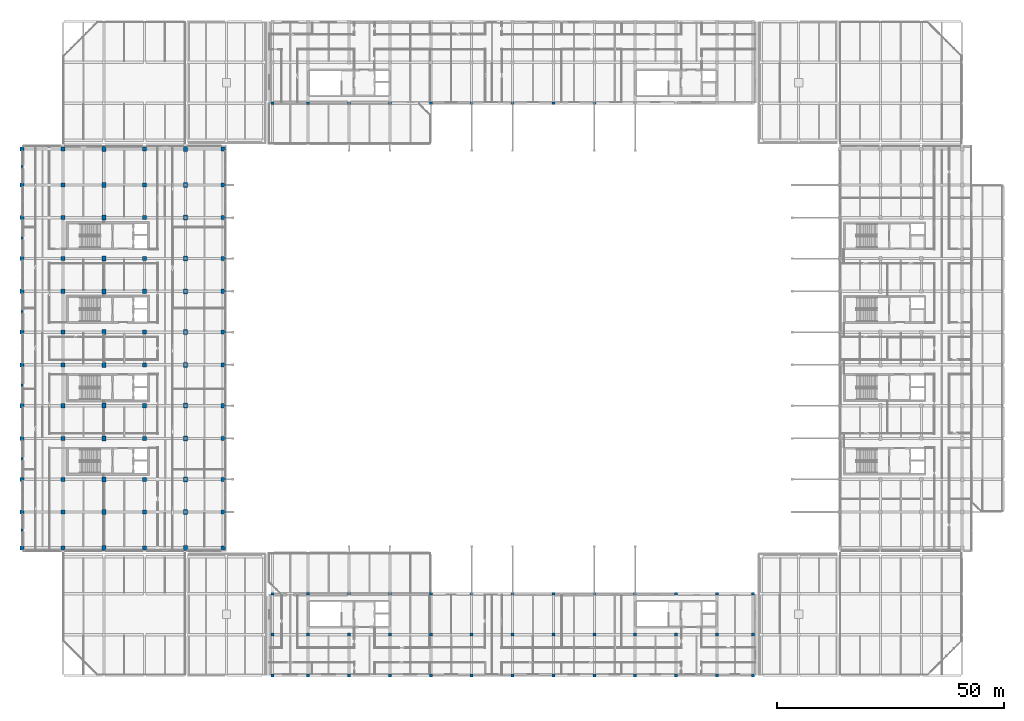
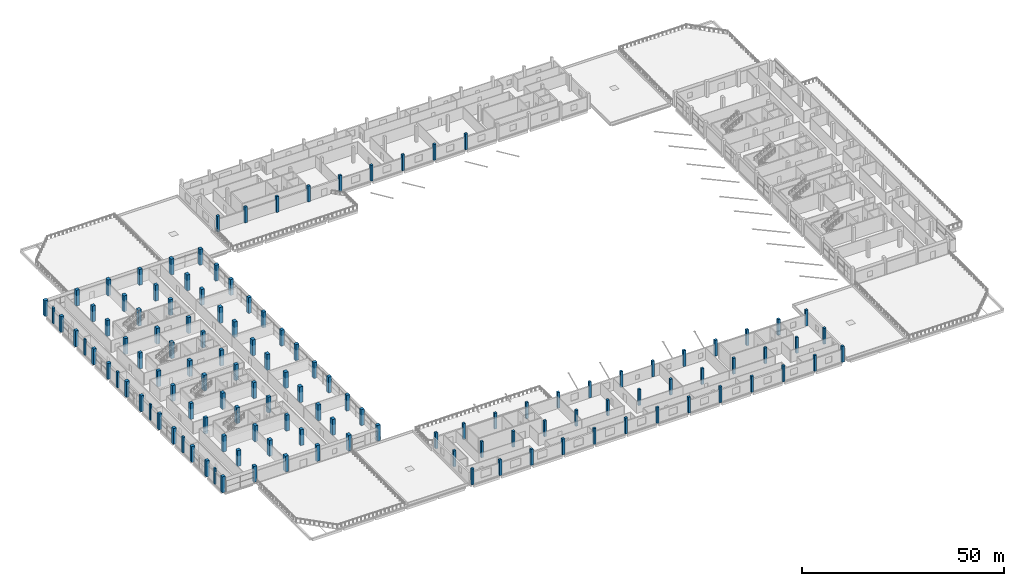
# One storey, part 1 of 82: 126 columns.
"""IFC4 building model written with IfcOpenShell, lengths in metres."""

from ifc_helpers import new_model, si_unit, direction, frame, origin, origin_2d, place, context, subcontext, project, spatial, rectangle, extrude, material, material_profile, profile_set, type_object, element, save


model = new_model("IFC4")

# Units and contexts
model_context = context("Model", 3, precision=1e-05, world=origin(), true_north=direction((0.0, 1.0)))
body_context = subcontext(model_context, "Body", "Model", "MODEL_VIEW")
ifc_project = project(units=[si_unit("LENGTHUNIT", "METRE"), si_unit("AREAUNIT", "SQUARE_METRE"), si_unit("VOLUMEUNIT", "CUBIC_METRE"), si_unit("PLANEANGLEUNIT", "RADIAN"), si_unit("MASSUNIT", "GRAM", prefix="KILO"), si_unit("THERMODYNAMICTEMPERATUREUNIT", "KELVIN"), si_unit("POWERUNIT", "WATT")], contexts=[model_context])

# Site, building, storey
site_placement = place(None, origin())
site = spatial("IfcSite", under=ifc_project, at=site_placement, CompositionType="ELEMENT")
building_placement = place(site_placement, origin())
building = spatial("IfcBuilding", under=site, at=building_placement, Name="Sindhuravela Promenade Stadium", CompositionType="ELEMENT")
storey_placement = place(building_placement, frame((0.0, 0.0, 14.39990234375)))
storey = spatial("IfcBuildingStorey", under=building, at=storey_placement, Name="L03", CompositionType="ELEMENT", Elevation=14.39990234375)

# Columns
ifc_material_1 = material(Name="Concrete M40", Category="concrete")
ifc_material_profile_1 = material_profile(ifc_material_1, rectangle(XDim=0.64990234375, YDim=0.64990234375, at=origin_2d()), Name="RC 650x650")
ifc_profile_set_1 = profile_set([ifc_material_profile_1], Name="Concrete M40")
column_type_1 = type_object("IfcColumnType", Name="RC-CL-650x650", PredefinedType="COLUMN", material=ifc_profile_set_1)
for number, where, z_axis, x_axis, name in (
    (1, (55.10009765625, 135.0, 0.0), (0.0, 0.0, 1.0), (1.0, 0.0, 0.0), "Column C15 NORTH L03"),
    (2, (63.0, 135.0, 0.0), (0.0, 0.0, 1.0), (1.0, 0.0, 0.0), "Column C15 NORTH L03"),
    (3, (72.0, 135.0, 0.0), (0.0, 0.0, 1.0), (1.0, 0.0, 0.0), "Column C15 NORTH L03"),
    (4, (81.0, 135.0, 0.0), (0.0, 0.0, 1.0), (1.0, 0.0, 0.0), "Column C15 NORTH L03"),
    (5, (90.0, 135.0, 0.0), (0.0, 0.0, 1.0), (1.0, 0.0, 0.0), "Column C15 NORTH L03"),
    (6, (99.0, 135.0, 0.0), (0.0, 0.0, 1.0), (1.0, 0.0, 0.0), "Column C15 NORTH L03"),
    (7, (108.0, 135.0, 0.0), (0.0, 0.0, 1.0), (1.0, 0.0, 0.0), "Column C15 NORTH L03"),
    (8, (117.0, 135.0, 0.0), (0.0, 0.0, 1.0), (1.0, 0.0, 0.0), "Column C15 NORTH L03"),
    (9, (126.0, 135.0, 0.0), (0.0, 0.0, 1.0), (1.0, 0.0, 0.0), "Column C15 NORTH L03"),
    (10, (55.10009765625, 9.0, 0.0), (0.0, 0.0, 1.0), (1.0, 0.0, 0.0), "Column C15 SOUTH L03"),
    (11, (55.10009765625, 18.0, 0.0), (0.0, 0.0, 1.0), (1.0, 0.0, 0.0), "Column C15 SOUTH L03"),
    (12, (55.10009765625, 27.0, 0.0), (0.0, 0.0, 1.0), (1.0, 0.0, 0.0), "Column C15 SOUTH L03"),
    (13, (63.0, 9.0, 0.0), (0.0, 0.0, 1.0), (1.0, 0.0, 0.0), "Column C15 SOUTH L03"),
    (14, (63.0, 18.0, 0.0), (0.0, 0.0, 1.0), (1.0, 0.0, 0.0), "Column C15 SOUTH L03"),
    (15, (63.0, 27.0, 0.0), (0.0, 0.0, 1.0), (1.0, 0.0, 0.0), "Column C15 SOUTH L03"),
    (16, (72.0, 9.0, 0.0), (0.0, 0.0, 1.0), (1.0, 0.0, 0.0), "Column C15 SOUTH L03"),
    (17, (72.0, 18.0, 0.0), (0.0, 0.0, 1.0), (1.0, 0.0, 0.0), "Column C15 SOUTH L03"),
    (18, (72.0, 27.0, 0.0), (0.0, 0.0, 1.0), (1.0, 0.0, 0.0), "Column C15 SOUTH L03"),
    (19, (81.0, 9.0, 0.0), (0.0, 0.0, 1.0), (1.0, 0.0, 0.0), "Column C15 SOUTH L03"),
    (20, (81.0, 18.0, 0.0), (0.0, 0.0, 1.0), (1.0, 0.0, 0.0), "Column C15 SOUTH L03"),
    (21, (81.0, 27.0, 0.0), (0.0, 0.0, 1.0), (1.0, 0.0, 0.0), "Column C15 SOUTH L03"),
    (22, (90.0, 9.0, 0.0), (0.0, 0.0, 1.0), (1.0, 0.0, 0.0), "Column C15 SOUTH L03"),
    (23, (90.0, 18.0, 0.0), (0.0, 0.0, 1.0), (1.0, 0.0, 0.0), "Column C15 SOUTH L03"),
    (24, (90.0, 27.0, 0.0), (0.0, 0.0, 1.0), (1.0, 0.0, 0.0), "Column C15 SOUTH L03"),
    (25, (99.0, 9.0, 0.0), (0.0, 0.0, 1.0), (1.0, 0.0, 0.0), "Column C15 SOUTH L03"),
    (26, (99.0, 18.0, 0.0), (0.0, 0.0, 1.0), (1.0, 0.0, 0.0), "Column C15 SOUTH L03"),
    (27, (99.0, 27.0, 0.0), (0.0, 0.0, 1.0), (1.0, 0.0, 0.0), "Column C15 SOUTH L03"),
    (28, (108.0, 9.0, 0.0), (0.0, 0.0, 1.0), (1.0, 0.0, 0.0), "Column C15 SOUTH L03"),
    (29, (108.0, 18.0, 0.0), (0.0, 0.0, 1.0), (1.0, 0.0, 0.0), "Column C15 SOUTH L03"),
    (30, (108.0, 27.0, 0.0), (0.0, 0.0, 1.0), (1.0, 0.0, 0.0), "Column C15 SOUTH L03"),
    (31, (117.0, 9.0, 0.0), (0.0, 0.0, 1.0), (1.0, 0.0, 0.0), "Column C15 SOUTH L03"),
    (32, (117.0, 18.0, 0.0), (0.0, 0.0, 1.0), (1.0, 0.0, 0.0), "Column C15 SOUTH L03"),
    (33, (117.0, 27.0, 0.0), (0.0, 0.0, 1.0), (1.0, 0.0, 0.0), "Column C15 SOUTH L03"),
    (34, (126.0, 9.0, 0.0), (0.0, 0.0, 1.0), (1.0, 0.0, 0.0), "Column C15 SOUTH L03"),
    (35, (126.0, 18.0, 0.0), (0.0, 0.0, 1.0), (1.0, 0.0, 0.0), "Column C15 SOUTH L03"),
    (36, (126.0, 27.0, 0.0), (0.0, 0.0, 1.0), (1.0, 0.0, 0.0), "Column C15 SOUTH L03"),
    (37, (135.0, 9.0, 0.0), (0.0, 0.0, 1.0), (1.0, 0.0, 0.0), "Column C15 SOUTH L03"),
    (38, (135.0, 18.0, 0.0), (0.0, 0.0, 1.0), (1.0, 0.0, 0.0), "Column C15 SOUTH L03"),
    (39, (135.0, 27.0, 0.0), (0.0, 0.0, 1.0), (1.0, 0.0, 0.0), "Column C15 SOUTH L03"),
    (40, (144.0, 9.0, 0.0), (0.0, 0.0, 1.0), (1.0, 0.0, 0.0), "Column C15 SOUTH L03"),
    (41, (144.0, 18.0, 0.0), (0.0, 0.0, 1.0), (1.0, 0.0, 0.0), "Column C15 SOUTH L03"),
    (42, (144.0, 27.0, 0.0), (0.0, 0.0, 1.0), (1.0, 0.0, 0.0), "Column C15 SOUTH L03"),
    (43, (153.0, 9.0, 0.0), (0.0, 0.0, 1.0), (1.0, 0.0, 0.0), "Column C15 SOUTH L03"),
    (44, (153.0, 18.0, 0.0), (0.0, 0.0, 1.0), (1.0, 0.0, 0.0), "Column C15 SOUTH L03"),
    (45, (153.0, 27.0, 0.0), (0.0, 0.0, 1.0), (1.0, 0.0, 0.0), "Column C15 SOUTH L03"),
    (46, (160.89990234375, 9.0, 0.0), (0.0, 0.0, 1.0), (1.0, 0.0, 0.0), "Column C15 SOUTH L03"),
    (47, (160.89990234375, 18.0, 0.0), (0.0, 0.0, 1.0), (1.0, 0.0, 0.0), "Column C15 SOUTH L03"),
    (48, (160.89990234375, 27.0, 0.0), (0.0, 0.0, 1.0), (1.0, 0.0, 0.0), "Column C15 SOUTH L03"),
):
    element("IfcColumn", number, at=place(storey_placement, frame(where, z_axis=z_axis, x_axis=x_axis)), inside=storey, type_object=column_type_1, Name=name, PredefinedType="COLUMN", context=body_context, shape_type="SweptSolid", body=[
        extrude(rectangle(XDim=0.64990234375, YDim=0.64990234375, at=origin_2d()), origin(), (0.0, 0.0, 1.0), 4.800048828125),
    ])
ifc_material_2 = material(Name="Concrete M50", Category="concrete")
ifc_material_profile_2 = material_profile(ifc_material_2, rectangle(XDim=0.89990234375, YDim=1.10009765625, at=origin_2d()), Name="RC 900x1100")
ifc_profile_set_2 = profile_set([ifc_material_profile_2], Name="Concrete M50")
column_type_2 = type_object("IfcColumnType", Name="RC-CL-900x1100", PredefinedType="COLUMN", material=ifc_profile_set_2)
for number, where, z_axis, x_axis, name in (
    (49, (18.0, 37.10009765625, 0.0), (0.0, 0.0, 1.0), (1.0, 0.0, 0.0), "Column C07 WEST L03"),
    (50, (18.0, 45.0, 0.0), (0.0, 0.0, 1.0), (1.0, 0.0, 0.0), "Column C07 WEST L03"),
    (51, (18.0, 52.199951171875, 0.0), (0.0, 0.0, 1.0), (1.0, 0.0, 0.0), "Column C07 WEST L03"),
    (52, (18.0, 61.199951171875, 0.0), (0.0, 0.0, 1.0), (1.0, 0.0, 0.0), "Column C07 WEST L03"),
    (53, (18.0, 68.39990234375, 0.0), (0.0, 0.0, 1.0), (1.0, 0.0, 0.0), "Column C07 WEST L03"),
    (54, (18.0, 77.39990234375, 0.0), (0.0, 0.0, 1.0), (1.0, 0.0, 0.0), "Column C07 WEST L03"),
    (55, (18.0, 84.60009765625, 0.0), (0.0, 0.0, 1.0), (1.0, 0.0, 0.0), "Column C07 WEST L03"),
    (56, (18.0, 93.60009765625, 0.0), (0.0, 0.0, 1.0), (1.0, 0.0, 0.0), "Column C07 WEST L03"),
    (57, (18.0, 100.800048828125, 0.0), (0.0, 0.0, 1.0), (1.0, 0.0, 0.0), "Column C07 WEST L03"),
    (58, (18.0, 109.800048828125, 0.0), (0.0, 0.0, 1.0), (1.0, 0.0, 0.0), "Column C07 WEST L03"),
    (59, (18.0, 117.0, 0.0), (0.0, 0.0, 1.0), (1.0, 0.0, 0.0), "Column C07 WEST L03"),
    (60, (18.0, 124.89990234375, 0.0), (0.0, 0.0, 1.0), (1.0, 0.0, 0.0), "Column C07 WEST L03"),
    (61, (36.0, 37.10009765625, 0.0), (0.0, 0.0, 1.0), (1.0, 0.0, 0.0), "Column C07 WEST L03"),
    (62, (36.0, 45.0, 0.0), (0.0, 0.0, 1.0), (1.0, 0.0, 0.0), "Column C07 WEST L03"),
    (63, (36.0, 52.199951171875, 0.0), (0.0, 0.0, 1.0), (1.0, 0.0, 0.0), "Column C07 WEST L03"),
    (64, (36.0, 61.199951171875, 0.0), (0.0, 0.0, 1.0), (1.0, 0.0, 0.0), "Column C07 WEST L03"),
    (65, (36.0, 68.39990234375, 0.0), (0.0, 0.0, 1.0), (1.0, 0.0, 0.0), "Column C07 WEST L03"),
    (66, (36.0, 77.39990234375, 0.0), (0.0, 0.0, 1.0), (1.0, 0.0, 0.0), "Column C07 WEST L03"),
    (67, (36.0, 84.60009765625, 0.0), (0.0, 0.0, 1.0), (1.0, 0.0, 0.0), "Column C07 WEST L03"),
    (68, (36.0, 93.60009765625, 0.0), (0.0, 0.0, 1.0), (1.0, 0.0, 0.0), "Column C07 WEST L03"),
    (69, (36.0, 100.800048828125, 0.0), (0.0, 0.0, 1.0), (1.0, 0.0, 0.0), "Column C07 WEST L03"),
    (70, (36.0, 109.800048828125, 0.0), (0.0, 0.0, 1.0), (1.0, 0.0, 0.0), "Column C07 WEST L03"),
    (71, (36.0, 117.0, 0.0), (0.0, 0.0, 1.0), (1.0, 0.0, 0.0), "Column C07 WEST L03"),
    (72, (36.0, 124.89990234375, 0.0), (0.0, 0.0, 1.0), (1.0, 0.0, 0.0), "Column C07 WEST L03"),
):
    element("IfcColumn", number, at=place(storey_placement, frame(where, z_axis=z_axis, x_axis=x_axis)), inside=storey, type_object=column_type_2, Name=name, PredefinedType="COLUMN", context=body_context, shape_type="SweptSolid", body=[
        extrude(rectangle(XDim=0.89990234375, YDim=1.10009765625, at=origin_2d()), origin(), (0.0, 0.0, 1.0), 4.800048828125),
    ])
ifc_material_profile_3 = material_profile(ifc_material_1, rectangle(XDim=0.89990234375, YDim=0.89990234375, at=origin_2d()), Name="RC 900x900")
ifc_profile_set_3 = profile_set([ifc_material_profile_3], Name="Concrete M40")
column_type_3 = type_object("IfcColumnType", Name="RC-CL-900x900", PredefinedType="COLUMN", material=ifc_profile_set_3)
for number, where, z_axis, x_axis, name in (
    (73, (0.0, 37.10009765625, 0.0), (0.0, 0.0, 1.0), (1.0, 0.0, 0.0), "Column C08 WEST L03"),
    (74, (0.0, 45.0, 0.0), (0.0, 0.0, 1.0), (1.0, 0.0, 0.0), "Column C08 WEST L03"),
    (75, (0.0, 52.199951171875, 0.0), (0.0, 0.0, 1.0), (1.0, 0.0, 0.0), "Column C08 WEST L03"),
    (76, (0.0, 61.199951171875, 0.0), (0.0, 0.0, 1.0), (1.0, 0.0, 0.0), "Column C08 WEST L03"),
    (77, (0.0, 68.39990234375, 0.0), (0.0, 0.0, 1.0), (1.0, 0.0, 0.0), "Column C08 WEST L03"),
    (78, (0.0, 77.39990234375, 0.0), (0.0, 0.0, 1.0), (1.0, 0.0, 0.0), "Column C08 WEST L03"),
    (79, (0.0, 84.60009765625, 0.0), (0.0, 0.0, 1.0), (1.0, 0.0, 0.0), "Column C08 WEST L03"),
    (80, (0.0, 93.60009765625, 0.0), (0.0, 0.0, 1.0), (1.0, 0.0, 0.0), "Column C08 WEST L03"),
    (81, (0.0, 100.800048828125, 0.0), (0.0, 0.0, 1.0), (1.0, 0.0, 0.0), "Column C08 WEST L03"),
    (82, (0.0, 109.800048828125, 0.0), (0.0, 0.0, 1.0), (1.0, 0.0, 0.0), "Column C08 WEST L03"),
    (83, (0.0, 117.0, 0.0), (0.0, 0.0, 1.0), (1.0, 0.0, 0.0), "Column C08 WEST L03"),
    (84, (0.0, 124.89990234375, 0.0), (0.0, 0.0, 1.0), (1.0, 0.0, 0.0), "Column C08 WEST L03"),
    (85, (9.0, 37.10009765625, 0.0), (0.0, 0.0, 1.0), (1.0, 0.0, 0.0), "Column C08 WEST L03"),
    (86, (9.0, 45.0, 0.0), (0.0, 0.0, 1.0), (1.0, 0.0, 0.0), "Column C08 WEST L03"),
    (87, (9.0, 52.199951171875, 0.0), (0.0, 0.0, 1.0), (1.0, 0.0, 0.0), "Column C08 WEST L03"),
    (88, (9.0, 61.199951171875, 0.0), (0.0, 0.0, 1.0), (1.0, 0.0, 0.0), "Column C08 WEST L03"),
    (89, (9.0, 68.39990234375, 0.0), (0.0, 0.0, 1.0), (1.0, 0.0, 0.0), "Column C08 WEST L03"),
    (90, (9.0, 77.39990234375, 0.0), (0.0, 0.0, 1.0), (1.0, 0.0, 0.0), "Column C08 WEST L03"),
    (91, (9.0, 84.60009765625, 0.0), (0.0, 0.0, 1.0), (1.0, 0.0, 0.0), "Column C08 WEST L03"),
    (92, (9.0, 93.60009765625, 0.0), (0.0, 0.0, 1.0), (1.0, 0.0, 0.0), "Column C08 WEST L03"),
    (93, (9.0, 100.800048828125, 0.0), (0.0, 0.0, 1.0), (1.0, 0.0, 0.0), "Column C08 WEST L03"),
    (94, (9.0, 109.800048828125, 0.0), (0.0, 0.0, 1.0), (1.0, 0.0, 0.0), "Column C08 WEST L03"),
    (95, (9.0, 117.0, 0.0), (0.0, 0.0, 1.0), (1.0, 0.0, 0.0), "Column C08 WEST L03"),
    (96, (9.0, 124.89990234375, 0.0), (0.0, 0.0, 1.0), (1.0, 0.0, 0.0), "Column C08 WEST L03"),
    (97, (27.0, 37.10009765625, 0.0), (0.0, 0.0, 1.0), (1.0, 0.0, 0.0), "Column C08 WEST L03"),
    (98, (27.0, 45.0, 0.0), (0.0, 0.0, 1.0), (1.0, 0.0, 0.0), "Column C08 WEST L03"),
    (99, (27.0, 52.199951171875, 0.0), (0.0, 0.0, 1.0), (1.0, 0.0, 0.0), "Column C08 WEST L03"),
    (100, (27.0, 61.199951171875, 0.0), (0.0, 0.0, 1.0), (1.0, 0.0, 0.0), "Column C08 WEST L03"),
    (101, (27.0, 68.39990234375, 0.0), (0.0, 0.0, 1.0), (1.0, 0.0, 0.0), "Column C08 WEST L03"),
    (102, (27.0, 77.39990234375, 0.0), (0.0, 0.0, 1.0), (1.0, 0.0, 0.0), "Column C08 WEST L03"),
    (103, (27.0, 84.60009765625, 0.0), (0.0, 0.0, 1.0), (1.0, 0.0, 0.0), "Column C08 WEST L03"),
    (104, (27.0, 93.60009765625, 0.0), (0.0, 0.0, 1.0), (1.0, 0.0, 0.0), "Column C08 WEST L03"),
    (105, (27.0, 100.800048828125, 0.0), (0.0, 0.0, 1.0), (1.0, 0.0, 0.0), "Column C08 WEST L03"),
    (106, (27.0, 109.800048828125, 0.0), (0.0, 0.0, 1.0), (1.0, 0.0, 0.0), "Column C08 WEST L03"),
    (107, (27.0, 117.0, 0.0), (0.0, 0.0, 1.0), (1.0, 0.0, 0.0), "Column C08 WEST L03"),
    (108, (27.0, 124.89990234375, 0.0), (0.0, 0.0, 1.0), (1.0, 0.0, 0.0), "Column C08 WEST L03"),
    (109, (44.300048828125, 37.10009765625, 0.0), (0.0, 0.0, 1.0), (1.0, 0.0, 0.0), "Column C08 WEST L03"),
    (110, (44.300048828125, 45.0, 0.0), (0.0, 0.0, 1.0), (1.0, 0.0, 0.0), "Column C08 WEST L03"),
    (111, (44.300048828125, 52.199951171875, 0.0), (0.0, 0.0, 1.0), (1.0, 0.0, 0.0), "Column C08 WEST L03"),
    (112, (44.300048828125, 61.199951171875, 0.0), (0.0, 0.0, 1.0), (1.0, 0.0, 0.0), "Column C08 WEST L03"),
    (113, (44.300048828125, 68.39990234375, 0.0), (0.0, 0.0, 1.0), (1.0, 0.0, 0.0), "Column C08 WEST L03"),
    (114, (44.300048828125, 77.39990234375, 0.0), (0.0, 0.0, 1.0), (1.0, 0.0, 0.0), "Column C08 WEST L03"),
    (115, (44.300048828125, 84.60009765625, 0.0), (0.0, 0.0, 1.0), (1.0, 0.0, 0.0), "Column C08 WEST L03"),
    (116, (44.300048828125, 93.60009765625, 0.0), (0.0, 0.0, 1.0), (1.0, 0.0, 0.0), "Column C08 WEST L03"),
    (117, (44.300048828125, 100.800048828125, 0.0), (0.0, 0.0, 1.0), (1.0, 0.0, 0.0), "Column C08 WEST L03"),
    (118, (44.300048828125, 109.800048828125, 0.0), (0.0, 0.0, 1.0), (1.0, 0.0, 0.0), "Column C08 WEST L03"),
    (119, (44.300048828125, 117.0, 0.0), (0.0, 0.0, 1.0), (1.0, 0.0, 0.0), "Column C08 WEST L03"),
    (120, (44.300048828125, 124.89990234375, 0.0), (0.0, 0.0, 1.0), (1.0, 0.0, 0.0), "Column C08 WEST L03"),
):
    element("IfcColumn", number, at=place(storey_placement, frame(where, z_axis=z_axis, x_axis=x_axis)), inside=storey, type_object=column_type_3, Name=name, PredefinedType="COLUMN", context=body_context, shape_type="SweptSolid", body=[
        extrude(rectangle(XDim=0.89990234375, YDim=0.89990234375, at=origin_2d()), origin(), (0.0, 0.0, 1.0), 4.800048828125),
    ])
ifc_material_profile_4 = material_profile(ifc_material_1, rectangle(XDim=0.5, YDim=0.699951171875, at=origin_2d()), Name="PIL 500x700")
ifc_profile_set_4 = profile_set([ifc_material_profile_4], Name="Concrete M40")
column_type_4 = type_object("IfcColumnType", Name="RC-PL-500x700", PredefinedType="PILASTER", material=ifc_profile_set_4)
for number, where, z_axis, x_axis, name in (
    (121, (0.0, 41.0, 0.0), (0.0, 0.0, 1.0), (1.0, 0.0, 0.0), "Fluted pilaster PL1 WEST L03"),
    (122, (0.0, 56.699951171875, 0.0), (0.0, 0.0, 1.0), (1.0, 0.0, 0.0), "Fluted pilaster PL1 WEST L03"),
    (123, (0.0, 72.89990234375, 0.0), (0.0, 0.0, 1.0), (1.0, 0.0, 0.0), "Fluted pilaster PL1 WEST L03"),
    (124, (0.0, 89.10009765625, 0.0), (0.0, 0.0, 1.0), (1.0, 0.0, 0.0), "Fluted pilaster PL1 WEST L03"),
    (125, (0.0, 105.300048828125, 0.0), (0.0, 0.0, 1.0), (1.0, 0.0, 0.0), "Fluted pilaster PL1 WEST L03"),
    (126, (0.0, 121.0, 0.0), (0.0, 0.0, 1.0), (1.0, 0.0, 0.0), "Fluted pilaster PL1 WEST L03"),
):
    element("IfcColumn", number, at=place(storey_placement, frame(where, z_axis=z_axis, x_axis=x_axis)), inside=storey, type_object=column_type_4, Name=name, PredefinedType="PILASTER", context=body_context, shape_type="SweptSolid", body=[
        extrude(rectangle(XDim=0.5, YDim=0.699951171875, at=origin_2d()), origin(), (0.0, 0.0, 1.0), 4.800048828125),
    ])

save(model, "model.ifc")
